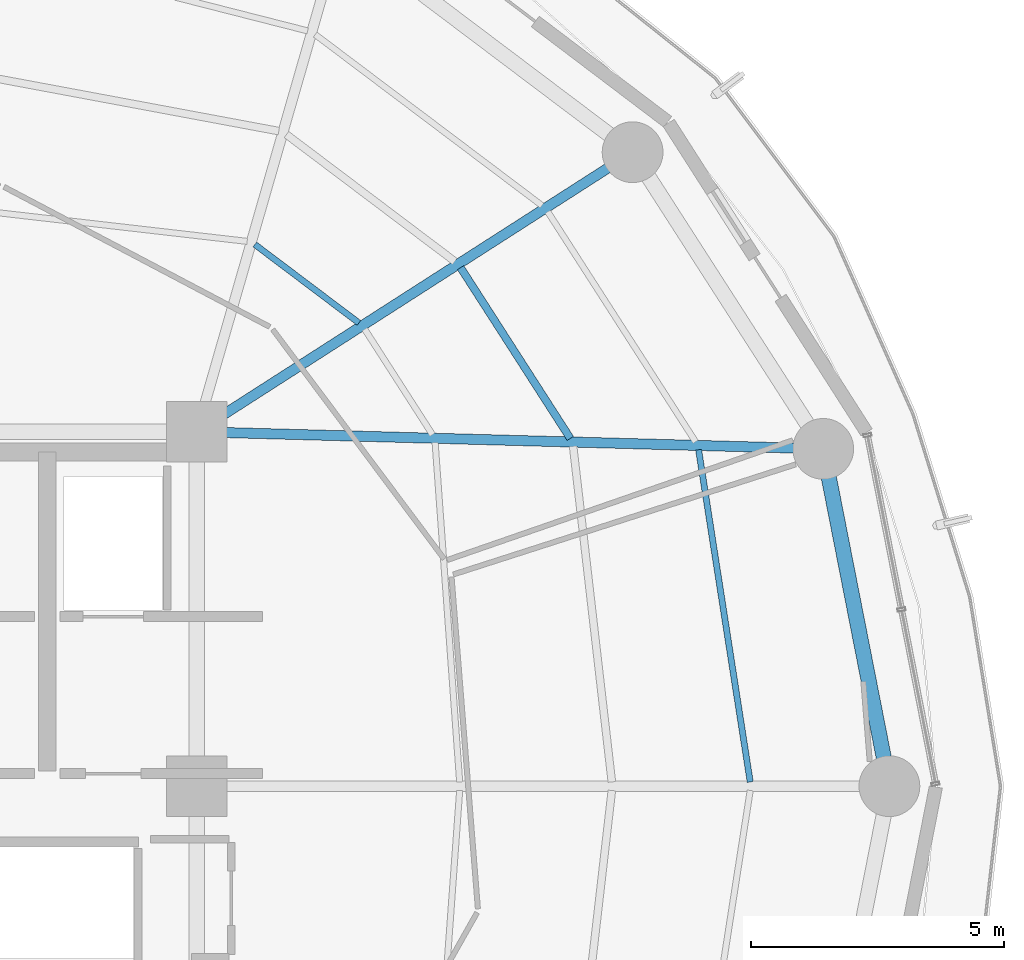
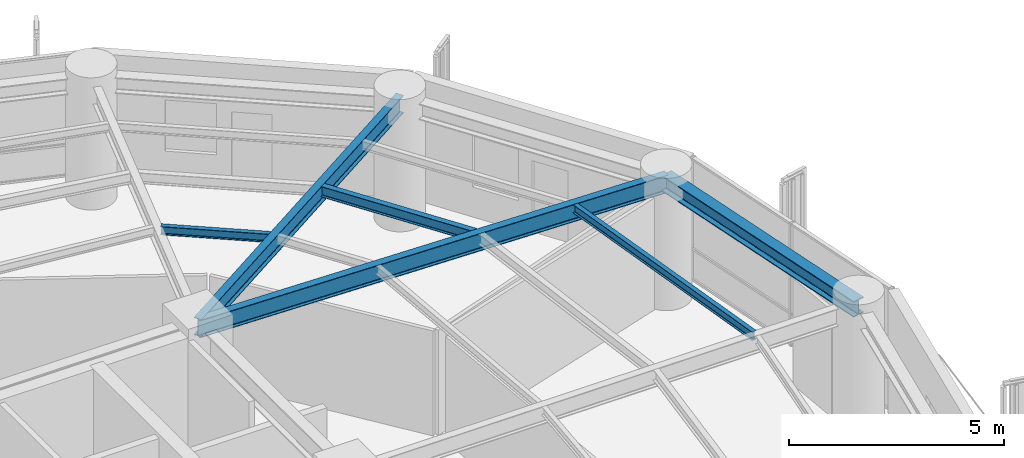
# One storey, part 14 of 27: 6 beams.
"""IFC4 building model written with IfcOpenShell, lengths in metres."""

from ifc_helpers import new_model, si_unit, direction, frame, origin, origin_2d, place, context, subcontext, project, spatial, i_section, extrude, material, material_profile, profile_set, type_object, element, save


model = new_model("IFC4")

# Units and contexts
model_context = context("Model", 3, precision=1e-05, world=origin(), true_north=direction((0.0, 1.0)))
body_context = subcontext(model_context, "Body", "Model", "MODEL_VIEW")
ifc_project = project(units=[si_unit("LENGTHUNIT", "METRE"), si_unit("AREAUNIT", "SQUARE_METRE"), si_unit("VOLUMEUNIT", "CUBIC_METRE"), si_unit("PLANEANGLEUNIT", "RADIAN"), si_unit("MASSUNIT", "GRAM", prefix="KILO")], contexts=[model_context])

# Site, building, storey
site_placement = place(None, origin())
site = spatial("IfcSite", under=ifc_project, at=site_placement, CompositionType="ELEMENT")
building_placement = place(site_placement, origin())
building = spatial("IfcBuilding", under=site, at=building_placement, Name="Kelanora Arch Commons", CompositionType="ELEMENT")
storey_placement = place(building_placement, frame((0.0, 0.0, 169.35009765625)))
storey = spatial("IfcBuildingStorey", under=building, at=storey_placement, Name="L43", CompositionType="ELEMENT", Elevation=169.35009765625)

# Beams
ifc_material = material(Name="Steel S355", Category="steel")
ifc_material_profile_1 = material_profile(ifc_material, i_section(OverallWidth=0.14990234375, OverallDepth=0.300048828125, WebThickness=0.007080078125, FlangeThickness=0.0107421875, FilletRadius=0.014892578125, at=origin_2d()), Name="IPE300")
ifc_profile_set_1 = profile_set([ifc_material_profile_1], Name="Steel S355")
beam_type_1 = type_object("IfcBeamType", Name="BM-JST-01", PredefinedType="JOIST", material=ifc_profile_set_1)
beam_1_placement = place(storey_placement, frame((89.377685546875, 64.869140625, 3.33984375), z_axis=(-0.540594434398, 0.841283339606, 0.0), x_axis=(-0.841283339606, -0.540594434398, 0.0)))
element("IfcBeam", 1, at=beam_1_placement, inside=storey, type_object=beam_type_1, Name="Secondary Chord Joist BJB-02 L43", PredefinedType="JOIST", context=body_context, shape_type="SweptSolid", body=[
    extrude(i_section(OverallWidth=0.14990234375, OverallDepth=0.300048828125, WebThickness=0.007080078125, FlangeThickness=0.0107421875, FilletRadius=0.014892578125, at=origin_2d()), origin(), (0.0, 0.0, 1.0), 4.008544921875),
])
ifc_material_profile_2 = material_profile(ifc_material, i_section(OverallWidth=0.1201171875, OverallDepth=0.239990234375, WebThickness=0.006103515625, FlangeThickness=0.009765625, FilletRadius=0.014892578125, at=origin_2d()), Name="IPE240")
ifc_profile_set_2 = profile_set([ifc_material_profile_2], Name="Steel S355")
beam_type_2 = type_object("IfcBeamType", Name="BM-JST-02", PredefinedType="JOIST", material=ifc_profile_set_2)
beam_2_placement = place(storey_placement, frame((92.930908203125, 58.083984375, 3.369873046875), z_axis=(-0.153562625853, 0.988138917329, 0.0), x_axis=(-0.988138917329, -0.153562625853, 0.0)))
element("IfcBeam", 2, at=beam_2_placement, inside=storey, type_object=beam_type_2, Name="Secondary Chord Joist BJC-00 L43", PredefinedType="JOIST", context=body_context, shape_type="SweptSolid", body=[
    extrude(i_section(OverallWidth=0.1201171875, OverallDepth=0.239990234375, WebThickness=0.006103515625, FlangeThickness=0.009765625, FilletRadius=0.014892578125, at=origin_2d()), origin(), (0.0, 0.0, 1.0), 6.640869140625),
])
beam_3_placement = place(storey_placement, frame((85.203125, 67.1494140625, 3.369873046875), z_axis=(-0.798484118859, 0.602015873487, 0.0), x_axis=(-0.602015873487, -0.798484118859, 0.0)))
element("IfcBeam", 3, at=beam_3_placement, inside=storey, type_object=beam_type_2, Name="Secondary Chord Joist BJA-04 L43", PredefinedType="JOIST", context=body_context, shape_type="SweptSolid", body=[
    extrude(i_section(OverallWidth=0.1201171875, OverallDepth=0.239990234375, WebThickness=0.006103515625, FlangeThickness=0.009765625, FilletRadius=0.014892578125, at=origin_2d()), origin(), (0.0, 0.0, 1.0), 2.57470703125),
])
ifc_material_profile_3 = material_profile(ifc_material, i_section(OverallWidth=0.199951171875, OverallDepth=0.5, WebThickness=0.01025390625, FlangeThickness=0.01611328125, FilletRadius=0.02099609375, at=origin_2d()), Name="IPE500")
ifc_profile_set_3 = profile_set([ifc_material_profile_3], Name="Steel S355")
beam_type_3 = type_object("IfcBeamType", Name="BM-RAD-Z3", PredefinedType="BEAM", material=ifc_profile_set_3)
beam_4_placement = place(storey_placement, frame((82.0, 65.0, 3.239990234375), z_axis=(0.999628374924, -0.027260081577, 0.0), x_axis=(0.027260081577, 0.999628374924, 0.0)))
element("IfcBeam", 4, at=beam_4_placement, inside=storey, type_object=beam_type_3, Name="Radial Floor Girder BR-02 L43", PredefinedType="BEAM", context=body_context, shape_type="SweptSolid", body=[
    extrude(i_section(OverallWidth=0.199951171875, OverallDepth=0.5, WebThickness=0.01025390625, FlangeThickness=0.01611328125, FilletRadius=0.02099609375, at=origin_2d()), origin(), (0.0, 0.0, 1.0), 12.377197265625),
])
beam_5_placement = place(storey_placement, frame((82.0, 65.0, 3.239990234375), z_axis=(0.841719465748, 0.539915123868, 0.0), x_axis=(-0.539915123868, 0.841719465748, 0.0)))
element("IfcBeam", 5, at=beam_5_placement, inside=storey, type_object=beam_type_3, Name="Radial Floor Girder BR-04 L43", PredefinedType="BEAM", context=body_context, shape_type="SweptSolid", body=[
    extrude(i_section(OverallWidth=0.199951171875, OverallDepth=0.5, WebThickness=0.01025390625, FlangeThickness=0.01611328125, FilletRadius=0.02099609375, at=origin_2d()), origin(), (0.0, 0.0, 1.0), 10.2265625),
])
ifc_material_profile_4 = material_profile(ifc_material, i_section(OverallWidth=0.300048828125, OverallDepth=0.449951171875, WebThickness=0.013916015625, FlangeThickness=0.02587890625, FilletRadius=0.027099609375, at=origin_2d()), Name="HEB450")
ifc_profile_set_4 = profile_set([ifc_material_profile_4], Name="Steel S355")
beam_type_4 = type_object("IfcBeamType", Name="BM-SPN-Z3", PredefinedType="SPANDREL", material=ifc_profile_set_4)
beam_6_placement = place(storey_placement, frame((95.679931640625, 58.0, 3.264892578125), z_axis=(-0.192553643556, 0.981286448675, 0.0), x_axis=(-0.981286448675, -0.192553643556, 0.0)))
element("IfcBeam", 6, at=beam_6_placement, inside=storey, type_object=beam_type_4, Name="Perimeter Spandrel Beam BS-00 L43", PredefinedType="SPANDREL", context=body_context, shape_type="SweptSolid", body=[
    extrude(i_section(OverallWidth=0.300048828125, OverallDepth=0.449951171875, WebThickness=0.013916015625, FlangeThickness=0.02587890625, FilletRadius=0.027099609375, at=origin_2d()), origin(), (0.0, 0.0, 1.0), 6.78955078125),
])

save(model, "model.ifc")
